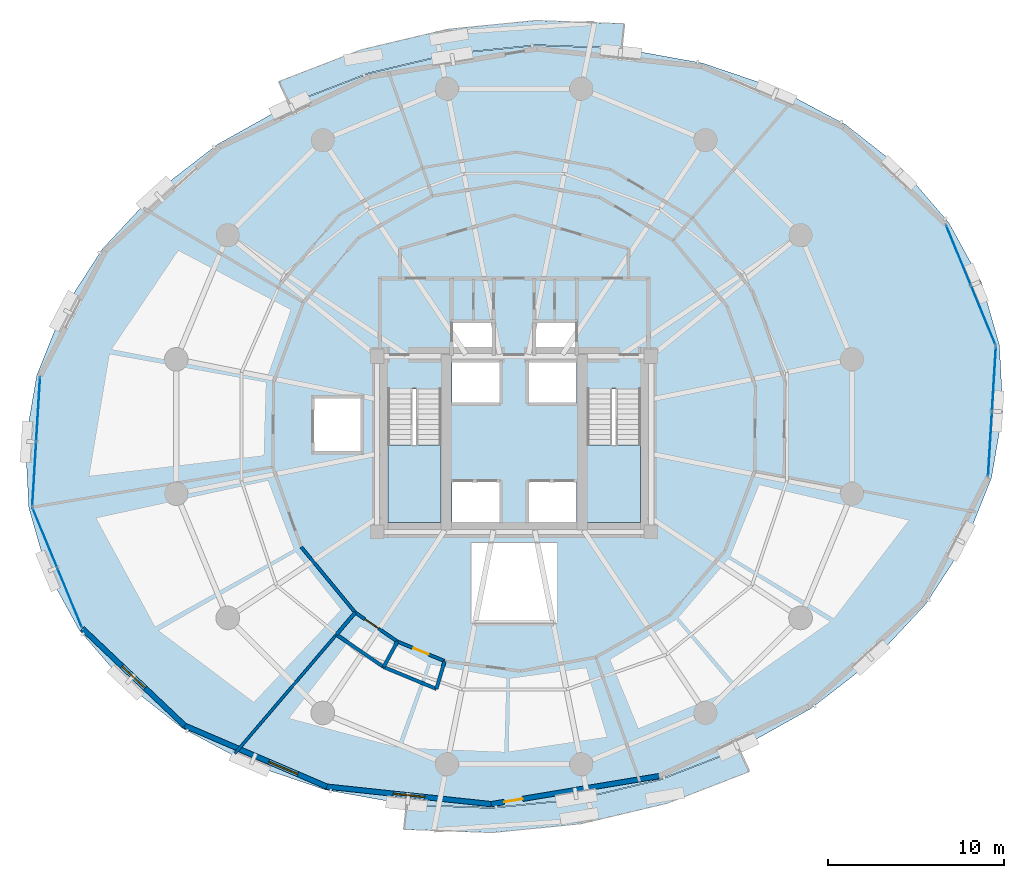
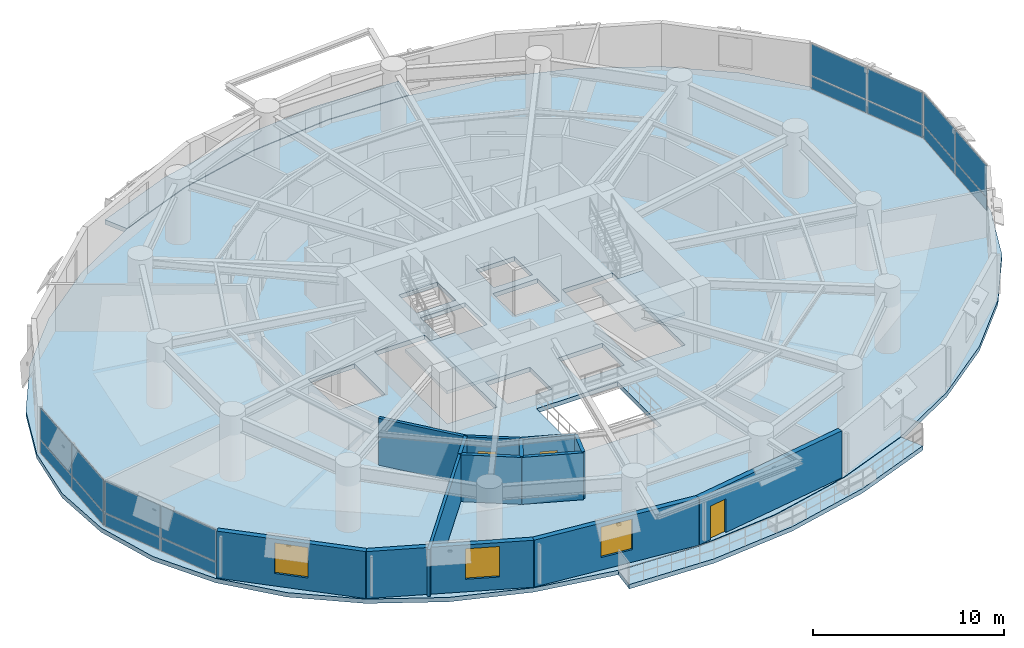
# One storey, part 11 of 17: 16 plates, 13 walls, 5 slabs, 3 doors, 3 windows, 6 openings, 6 elements without a shape of their own.
"""IFC4 building model written with IfcOpenShell, lengths in metres."""

import ifcopenshell
import ifcopenshell.guid

model = None  # the IFC model being written
_history = None  # IfcOwnerHistory: only IFC2X3 demands one
_inside = {}  # id of a spatial element -> (the spatial element, [elements in it])
_under = {}  # id of a project, library or spatial element -> (it, [spatial elements below it])
_declared = {}  # id of a project -> (the project, [libraries it declares])
_typed = {}  # id of a type object -> (the type object, [elements of that type])
_made_of = {}  # id of a material, layer set ... -> (it, [elements and type objects made of it])


def new_model(schema):
    """Start an empty IFC model of exactly this schema.

    Asked for "IFC4X3", IfcOpenShell would pick the latest addendum, in which some entities
    have other attributes; the version numbers below select the first issue.
    IFC2X3 requires an IfcOwnerHistory on every rooted entity: one is made here for all.
    """
    global model, _history
    if schema == "IFC4X3":
        model = ifcopenshell.file(schema_version=(4, 3, 0, 0))
    else:
        model = ifcopenshell.file(schema=schema)
    _inside.clear()
    _under.clear()
    _declared.clear()
    _typed.clear()
    _made_of.clear()
    _history = None
    if model.schema == "IFC2X3":
        org = make("IfcOrganization", Name="unknown")
        user = make(
            "IfcPersonAndOrganization",
            ThePerson=make("IfcPerson", FamilyName="unknown"),
            TheOrganization=org,
        )
        app = make(
            "IfcApplication",
            ApplicationDeveloper=org,
            Version="unknown",
            ApplicationFullName="unknown",
            ApplicationIdentifier="unknown",
        )
        _history = make(
            "IfcOwnerHistory",
            OwningUser=user,
            OwningApplication=app,
            ChangeAction="ADDED",
            CreationDate=0,
        )
    return model


def make(cls, **values):
    """One entity of the class cls with the attributes given. An attribute that is None is left unset."""
    return model.create_entity(
        cls, **{name: value for name, value in values.items() if value is not None}
    )


def rooted(cls, **values):
    """An entity with a GlobalId (a new one), such as an element, a storey or a relation."""
    return make(cls, GlobalId=ifcopenshell.guid.new(), OwnerHistory=_history, **values)


def si_unit(unit_type, name, prefix=None):
    """IfcSIUnit, for example si_unit("LENGTHUNIT", "METRE", prefix="MILLI")."""
    return make("IfcSIUnit", UnitType=unit_type, Prefix=prefix, Name=name)


def assignment(units):
    """IfcUnitAssignment: the units of a project."""
    return None if units is None else make("IfcUnitAssignment", Units=units)


def point(xyz):
    """IfcCartesianPoint."""
    return None if xyz is None else make("IfcCartesianPoint", Coordinates=xyz)


def direction(xyz):
    """IfcDirection."""
    return None if xyz is None else make("IfcDirection", DirectionRatios=xyz)


def frame(location, z_axis=None, x_axis=None):
    """IfcAxis2Placement3D, a coordinate frame: its origin and axes. An axis left out is left unset."""
    return make(
        "IfcAxis2Placement3D",
        Location=point(location),
        Axis=direction(z_axis),
        RefDirection=direction(x_axis),
    )


def frame_2d(location, x_axis=None):
    """IfcAxis2Placement2D, a coordinate frame in the plane: its origin and x axis."""
    return make(
        "IfcAxis2Placement2D", Location=point(location), RefDirection=direction(x_axis)
    )


def origin():
    """The frame at (0, 0, 0) with its axes left unset."""
    return frame((0.0, 0.0, 0.0))


def origin_2d():
    """The frame at (0, 0) in the plane with its x axis left unset."""
    return frame_2d((0.0, 0.0))


def place(relative_to, where):
    """IfcLocalPlacement: puts the frame where relative to a parent placement (None: the world)."""
    return make(
        "IfcLocalPlacement", PlacementRelTo=relative_to, RelativePlacement=where
    )


def context(
    kind, dimensions, precision=None, world=None, true_north=None, identifier=None
):
    """IfcGeometricRepresentationContext, for example the 3D "Model" context."""
    return make(
        "IfcGeometricRepresentationContext",
        ContextIdentifier=identifier,
        ContextType=kind,
        CoordinateSpaceDimension=dimensions,
        Precision=precision,
        WorldCoordinateSystem=world,
        TrueNorth=true_north,
    )


def subcontext(parent, identifier, kind, view, scale=None):
    """IfcGeometricRepresentationSubContext, for example "Body" below "Model"."""
    return make(
        "IfcGeometricRepresentationSubContext",
        ContextIdentifier=identifier,
        ContextType=kind,
        ParentContext=parent,
        TargetScale=scale,
        TargetView=view,
    )


def project(units=None, contexts=None):
    """IfcProject with its units and contexts."""
    return rooted(
        "IfcProject",
        Name="project",
        RepresentationContexts=contexts,
        UnitsInContext=assignment(units),
    )


def spatial(cls, under=None, at=None, **own):
    """A site, building, storey or space (cls), placed at a placement, below another one or the project."""
    s = rooted(cls, ObjectPlacement=at, **own)
    if under is not None:
        _under.setdefault(under.id(), (under, []))[1].append(s)
    return s


def polyline(points):
    """IfcPolyline through the points."""
    return make("IfcPolyline", Points=[point(p) for p in points])


def profile(cls, at=None, kind="AREA", **sizes):
    """A parametric profile (cls). Its sizes go by their IFC names, for example OverallWidth=200.0."""
    return make(cls, ProfileType=kind, Position=at, **sizes)


def rectangle(**sizes):
    """IfcRectangleProfileDef."""
    return profile("IfcRectangleProfileDef", **sizes)


def outline(outer, holes=None, kind="AREA"):
    """IfcArbitraryClosedProfileDef: a profile drawn as a closed curve; with holes, ...WithVoids."""
    if holes is None:
        return make("IfcArbitraryClosedProfileDef", ProfileType=kind, OuterCurve=outer)
    return make(
        "IfcArbitraryProfileDefWithVoids",
        ProfileType=kind,
        OuterCurve=outer,
        InnerCurves=holes,
    )


def extrude(swept, where, along, depth):
    """IfcExtrudedAreaSolid: the profile swept, set in the frame where, extruded along a direction by depth."""
    return make(
        "IfcExtrudedAreaSolid",
        SweptArea=swept,
        Position=where,
        ExtrudedDirection=direction(along),
        Depth=depth,
    )


def shape(context_of_items, identifier, shape_type, items):
    """IfcShapeRepresentation: the items that make up one representation, for example the "Body"."""
    return make(
        "IfcShapeRepresentation",
        ContextOfItems=context_of_items,
        RepresentationIdentifier=identifier,
        RepresentationType=shape_type,
        Items=items,
    )


def material(Name=None, Category=None):
    """IfcMaterial."""
    return make("IfcMaterial", Name=Name, Category=Category)


def layer(
    of_material, thickness, ventilated=None, Name=None, Category=None, Priority=None
):
    """IfcMaterialLayer: one layer of a wall or slab, of a material (None: an air gap)."""
    return make(
        "IfcMaterialLayer",
        Material=of_material,
        LayerThickness=thickness,
        IsVentilated=ventilated,
        Name=Name,
        Category=Category,
        Priority=Priority,
    )


def layer_set(layers, Name=None):
    """IfcMaterialLayerSet."""
    return make("IfcMaterialLayerSet", MaterialLayers=layers, LayerSetName=Name)


def made_of(thing, what):
    """Note that an element or type object is made of a material, layer set ...; save() writes the relation."""
    if what is not None:
        _made_of.setdefault(what.id(), (what, []))[1].append(thing)
    return thing


def type_object(cls, material=None, **own):
    """A type object (cls), such as IfcWallType, which elements share."""
    return made_of(rooted(cls, **own), material)


def element(
    cls,
    number,
    at=None,
    inside=None,
    cuts=None,
    type_object=None,
    material=None,
    context=None,
    identifier="Body",
    shape_type=None,
    held_by="IfcProductDefinitionShape",
    body=None,
    shapes=None,
    **own,
):
    """One element of the class cls, such as IfcWall. Its Tag is "e" and its number.

    at: its placement. inside: the storey or other place that contains it. cuts: it is an
    opening in that element (IfcRelVoidsElement). A single representation is given by context,
    identifier, shape_type and body (its items); several are given by shapes. held_by: the class
    of the entity that holds the representations. save() writes the other relations.
    """
    e = rooted(cls, Tag="e%d" % number, ObjectPlacement=at, **own)
    if body is not None:
        shapes = [shape(context, identifier, shape_type, body)]
    if shapes is not None:
        e.Representation = make(held_by, Representations=shapes)
    if inside is not None:
        _inside.setdefault(inside.id(), (inside, []))[1].append(e)
    if cuts is not None:
        rooted(
            "IfcRelVoidsElement", RelatingBuildingElement=cuts, RelatedOpeningElement=e
        )
    if type_object is not None:
        _typed.setdefault(type_object.id(), (type_object, []))[1].append(e)
    return made_of(e, material)


def fill(opening, filler):
    """IfcRelFillsElement: the door or window that sits in an opening."""
    return rooted(
        "IfcRelFillsElement",
        RelatingOpeningElement=opening,
        RelatedBuildingElement=filler,
    )


def aggregate(whole, parts):
    """IfcRelAggregates: a whole, such as a stair, and the parts it consists of."""
    return rooted("IfcRelAggregates", RelatingObject=whole, RelatedObjects=parts)


def save(model, path):
    """Write the relations noted so far, then the file.

    IfcRelAggregates (storeys below a building ...), IfcRelContainedInSpatialStructure (elements
    in a storey), IfcRelDefinesByType, IfcRelAssociatesMaterial and IfcRelDeclares: one each for
    every whole, place, type object, material and project.
    """
    for whole, parts in _under.values():
        aggregate(whole, parts)
    for where, things in _inside.values():
        rooted(
            "IfcRelContainedInSpatialStructure",
            RelatedElements=things,
            RelatingStructure=where,
        )
    for kind, things in _typed.values():
        rooted("IfcRelDefinesByType", RelatedObjects=things, RelatingType=kind)
    for what, things in _made_of.values():
        rooted("IfcRelAssociatesMaterial", RelatedObjects=things, RelatingMaterial=what)
    for by, libraries in _declared.values():
        rooted("IfcRelDeclares", RelatingContext=by, RelatedDefinitions=libraries)
    model.write(path)


model = new_model("IFC4")

# Units and contexts
model_context = context("Model", 3, precision=1e-05, world=origin(), true_north=direction((0.0, 1.0)))
body_context = subcontext(model_context, "Body", "Model", "MODEL_VIEW")
ifc_project = project(units=[si_unit("LENGTHUNIT", "METRE"), si_unit("AREAUNIT", "SQUARE_METRE"), si_unit("VOLUMEUNIT", "CUBIC_METRE"), si_unit("PLANEANGLEUNIT", "RADIAN"), si_unit("MASSUNIT", "GRAM", prefix="KILO"), si_unit("THERMODYNAMICTEMPERATUREUNIT", "KELVIN"), si_unit("POWERUNIT", "WATT")], contexts=[model_context])

# Site, building, storey
site_placement = place(None, origin())
site = spatial("IfcSite", under=ifc_project, at=site_placement, CompositionType="ELEMENT")
building_placement = place(site_placement, origin())
building = spatial("IfcBuilding", under=site, at=building_placement, Name="Ocrelia Relay Tower", CompositionType="ELEMENT")
storey_placement = place(building_placement, frame((0.0, 0.0, 72.0)))
storey = spatial("IfcBuildingStorey", under=building, at=storey_placement, Name="L16", CompositionType="ELEMENT", Elevation=72.0)

# Curtain wall, plates
ifc_material_1 = material(Name="Aluminium and solar-control low-E glass", Category="aluminium")
ifc_layer_1 = layer(ifc_material_1, 0.179931640625, Name="Aluminium and solar-control low-E glass")
ifc_layer_set_1 = layer_set([ifc_layer_1], Name="Aluminium and solar-control low-E glass")
curtain_wall_type = type_object("IfcCurtainWallType", Name="CW-SYS-Z1-DATA", PredefinedType="NOTDEFINED", material=ifc_layer_set_1)
curtain_wall_1_placement = place(storey_placement, origin())
curtain_wall_1 = element("IfcCurtainWall", 1, at=curtain_wall_1_placement, inside=storey, type_object=curtain_wall_type, Name="L16 Elliptical Tower Curtain Wall Bay 01", PredefinedType="NOTDEFINED")
ifc_material_2 = material(Name="Clear double-glazed low-E glass", Category="glass")
ifc_layer_2 = layer(ifc_material_2, 0.031982421875, Name="Clear double-glazed low-E glass")
ifc_layer_set_2 = layer_set([ifc_layer_2], Name="Clear double-glazed low-E glass")
plate_type = type_object("IfcPlateType", Name="CW-SYS-Z1-DATA-PNL", PredefinedType="CURTAIN_PANEL", material=ifc_layer_set_2)
plate_1_placement = place(storey_placement, frame((60.697998046875, 32.33154296875, 0.06494140625), z_axis=(0.0, 0.0, 1.0), x_axis=(-0.382037876302, 0.924146666429, 0.0)))
plate_1 = element("IfcPlate", 2, at=plate_1_placement, type_object=plate_type, Name="CW-Z1 panel 1.1", PredefinedType="CURTAIN_PANEL", context=body_context, shape_type="SweptSolid", body=[
    extrude(rectangle(XDim=3.6328125, YDim=0.031982421875, at=origin_2d()), origin(), (0.0, 0.0, 1.0), 0.802490234375),
])
plate_2_placement = place(storey_placement, frame((60.697998046875, 32.33154296875, 0.9326171875), z_axis=(0.0, 0.0, 1.0), x_axis=(-0.382037876302, 0.924146666429, 0.0)))
plate_2 = element("IfcPlate", 3, at=plate_2_placement, type_object=plate_type, Name="CW-Z1 panel 1.2", PredefinedType="CURTAIN_PANEL", context=body_context, shape_type="SweptSolid", body=[
    extrude(rectangle(XDim=3.6328125, YDim=0.031982421875, at=origin_2d()), origin(), (0.0, 0.0, 1.0), 2.00244140625),
])
plate_3_placement = place(storey_placement, frame((59.283447265625, 35.75341796875, 0.06494140625), z_axis=(0.0, 0.0, 1.0), x_axis=(-0.382037876302, 0.924146666429, 0.0)))
plate_3 = element("IfcPlate", 4, at=plate_3_placement, type_object=plate_type, Name="CW-Z1 panel 2.1", PredefinedType="CURTAIN_PANEL", context=body_context, shape_type="SweptSolid", body=[
    extrude(rectangle(XDim=3.6328125, YDim=0.031982421875, at=origin_2d()), origin(), (0.0, 0.0, 1.0), 0.802490234375),
])
plate_4_placement = place(storey_placement, frame((59.283447265625, 35.75341796875, 0.9326171875), z_axis=(0.0, 0.0, 1.0), x_axis=(-0.382037876302, 0.924146666429, 0.0)))
plate_4 = element("IfcPlate", 5, at=plate_4_placement, type_object=plate_type, Name="CW-Z1 panel 2.2", PredefinedType="CURTAIN_PANEL", context=body_context, shape_type="SweptSolid", body=[
    extrude(rectangle(XDim=3.6328125, YDim=0.031982421875, at=origin_2d()), origin(), (0.0, 0.0, 1.0), 2.00244140625),
])
aggregate(curtain_wall_1, [plate_1, plate_2, plate_3, plate_4])

curtain_wall_2_placement = place(storey_placement, origin())
curtain_wall_2 = element("IfcCurtainWall", 6, at=curtain_wall_2_placement, inside=storey, type_object=curtain_wall_type, Name="L16 Elliptical Tower Curtain Wall Bay 09", PredefinedType="NOTDEFINED")
plate_5_placement = place(storey_placement, frame((6.91845703125, 26.990478515625, 0.06494140625), z_axis=(0.0, 0.0, 1.0), x_axis=(-0.060344410517, -0.998177615517, 0.0)))
plate_5 = element("IfcPlate", 7, at=plate_5_placement, type_object=plate_type, Name="CW-Z1 panel 1.1", PredefinedType="CURTAIN_PANEL", context=body_context, shape_type="SweptSolid", body=[
    extrude(rectangle(XDim=3.6328125, YDim=0.031982421875, at=origin_2d()), origin(), (0.0, 0.0, 1.0), 0.802490234375),
])
plate_6_placement = place(storey_placement, frame((6.91845703125, 26.990478515625, 0.9326171875), z_axis=(0.0, 0.0, 1.0), x_axis=(-0.060344410517, -0.998177615517, 0.0)))
plate_6 = element("IfcPlate", 8, at=plate_6_placement, type_object=plate_type, Name="CW-Z1 panel 1.2", PredefinedType="CURTAIN_PANEL", context=body_context, shape_type="SweptSolid", body=[
    extrude(rectangle(XDim=3.6328125, YDim=0.031982421875, at=origin_2d()), origin(), (0.0, 0.0, 1.0), 2.00244140625),
])
plate_7_placement = place(storey_placement, frame((6.695068359375, 23.294677734375, 0.06494140625), z_axis=(0.0, 0.0, 1.0), x_axis=(-0.060344410517, -0.998177615517, 0.0)))
plate_7 = element("IfcPlate", 9, at=plate_7_placement, type_object=plate_type, Name="CW-Z1 panel 2.1", PredefinedType="CURTAIN_PANEL", context=body_context, shape_type="SweptSolid", body=[
    extrude(rectangle(XDim=3.6328125, YDim=0.031982421875, at=origin_2d()), origin(), (0.0, 0.0, 1.0), 0.802490234375),
])
plate_8_placement = place(storey_placement, frame((6.695068359375, 23.294677734375, 0.9326171875), z_axis=(0.0, 0.0, 1.0), x_axis=(-0.060344410517, -0.998177615517, 0.0)))
plate_8 = element("IfcPlate", 10, at=plate_8_placement, type_object=plate_type, Name="CW-Z1 panel 2.2", PredefinedType="CURTAIN_PANEL", context=body_context, shape_type="SweptSolid", body=[
    extrude(rectangle(XDim=3.6328125, YDim=0.031982421875, at=origin_2d()), origin(), (0.0, 0.0, 1.0), 2.00244140625),
])
aggregate(curtain_wall_2, [plate_5, plate_6, plate_7, plate_8])

curtain_wall_3_placement = place(storey_placement, origin())
curtain_wall_3 = element("IfcCurtainWall", 11, at=curtain_wall_3_placement, inside=storey, type_object=curtain_wall_type, Name="L16 Elliptical Tower Curtain Wall Bay 10", PredefinedType="NOTDEFINED")
plate_9_placement = place(storey_placement, frame((7.302001953125, 19.66845703125, 0.06494140625), z_axis=(0.0, 0.0, 1.0), x_axis=(0.382037876302, -0.924146666429, 0.0)))
plate_9 = element("IfcPlate", 12, at=plate_9_placement, type_object=plate_type, Name="CW-Z1 panel 1.1", PredefinedType="CURTAIN_PANEL", context=body_context, shape_type="SweptSolid", body=[
    extrude(rectangle(XDim=3.6328125, YDim=0.031982421875, at=origin_2d()), origin(), (0.0, 0.0, 1.0), 0.802490234375),
])
plate_10_placement = place(storey_placement, frame((7.302001953125, 19.66845703125, 0.9326171875), z_axis=(0.0, 0.0, 1.0), x_axis=(0.382037876302, -0.924146666429, 0.0)))
plate_10 = element("IfcPlate", 13, at=plate_10_placement, type_object=plate_type, Name="CW-Z1 panel 1.2", PredefinedType="CURTAIN_PANEL", context=body_context, shape_type="SweptSolid", body=[
    extrude(rectangle(XDim=3.6328125, YDim=0.031982421875, at=origin_2d()), origin(), (0.0, 0.0, 1.0), 2.00244140625),
])
plate_11_placement = place(storey_placement, frame((8.716552734375, 16.24658203125, 0.06494140625), z_axis=(0.0, 0.0, 1.0), x_axis=(0.382037876302, -0.924146666429, 0.0)))
plate_11 = element("IfcPlate", 14, at=plate_11_placement, type_object=plate_type, Name="CW-Z1 panel 2.1", PredefinedType="CURTAIN_PANEL", context=body_context, shape_type="SweptSolid", body=[
    extrude(rectangle(XDim=3.6328125, YDim=0.031982421875, at=origin_2d()), origin(), (0.0, 0.0, 1.0), 0.802490234375),
])
plate_12_placement = place(storey_placement, frame((8.716552734375, 16.24658203125, 0.9326171875), z_axis=(0.0, 0.0, 1.0), x_axis=(0.382037876302, -0.924146666429, 0.0)))
plate_12 = element("IfcPlate", 15, at=plate_12_placement, type_object=plate_type, Name="CW-Z1 panel 2.2", PredefinedType="CURTAIN_PANEL", context=body_context, shape_type="SweptSolid", body=[
    extrude(rectangle(XDim=3.6328125, YDim=0.031982421875, at=origin_2d()), origin(), (0.0, 0.0, 1.0), 2.00244140625),
])
aggregate(curtain_wall_3, [plate_9, plate_10, plate_11, plate_12])

curtain_wall_4_placement = place(storey_placement, origin())
curtain_wall_4 = element("IfcCurtainWall", 16, at=curtain_wall_4_placement, inside=storey, type_object=curtain_wall_type, Name="L16 Elliptical Tower Curtain Wall Bay 18", PredefinedType="NOTDEFINED")
plate_13_placement = place(storey_placement, frame((61.08154296875, 25.009521484375, 0.06494140625), z_axis=(0.0, 0.0, 1.0), x_axis=(0.060344410517, 0.998177615517, 0.0)))
plate_13 = element("IfcPlate", 17, at=plate_13_placement, type_object=plate_type, Name="CW-Z1 panel 1.1", PredefinedType="CURTAIN_PANEL", context=body_context, shape_type="SweptSolid", body=[
    extrude(rectangle(XDim=3.6328125, YDim=0.031982421875, at=origin_2d()), origin(), (0.0, 0.0, 1.0), 0.802490234375),
])
plate_14_placement = place(storey_placement, frame((61.08154296875, 25.009521484375, 0.9326171875), z_axis=(0.0, 0.0, 1.0), x_axis=(0.060344410517, 0.998177615517, 0.0)))
plate_14 = element("IfcPlate", 18, at=plate_14_placement, type_object=plate_type, Name="CW-Z1 panel 1.2", PredefinedType="CURTAIN_PANEL", context=body_context, shape_type="SweptSolid", body=[
    extrude(rectangle(XDim=3.6328125, YDim=0.031982421875, at=origin_2d()), origin(), (0.0, 0.0, 1.0), 2.00244140625),
])
plate_15_placement = place(storey_placement, frame((61.304931640625, 28.705322265625, 0.06494140625), z_axis=(0.0, 0.0, 1.0), x_axis=(0.060344410517, 0.998177615517, 0.0)))
plate_15 = element("IfcPlate", 19, at=plate_15_placement, type_object=plate_type, Name="CW-Z1 panel 2.1", PredefinedType="CURTAIN_PANEL", context=body_context, shape_type="SweptSolid", body=[
    extrude(rectangle(XDim=3.6328125, YDim=0.031982421875, at=origin_2d()), origin(), (0.0, 0.0, 1.0), 0.802490234375),
])
plate_16_placement = place(storey_placement, frame((61.304931640625, 28.705322265625, 0.9326171875), z_axis=(0.0, 0.0, 1.0), x_axis=(0.060344410517, 0.998177615517, 0.0)))
plate_16 = element("IfcPlate", 20, at=plate_16_placement, type_object=plate_type, Name="CW-Z1 panel 2.2", PredefinedType="CURTAIN_PANEL", context=body_context, shape_type="SweptSolid", body=[
    extrude(rectangle(XDim=3.6328125, YDim=0.031982421875, at=origin_2d()), origin(), (0.0, 0.0, 1.0), 2.00244140625),
])
aggregate(curtain_wall_4, [plate_13, plate_14, plate_15, plate_16])

# Slabs
ifc_material_3 = material(Name="Precast concrete C40/50", Category="concrete")
ifc_layer_3 = layer(ifc_material_3, 0.280029296875, Name="Precast concrete C40/50")
ifc_layer_set_3 = layer_set([ifc_layer_3], Name="Precast concrete C40/50")
slab_type_1 = type_object("IfcSlabType", Name="SL-BALC-280", PredefinedType="FLOOR", material=ifc_layer_set_3)
slab_1_placement = place(storey_placement, frame((0.0, 0.0, -0.280029296875)))
element("IfcSlab", 21, at=slab_1_placement, inside=storey, type_object=slab_type_1, Name="L16 Planted Loggia Balcony B1", PredefinedType="FLOOR", context=body_context, shape_type="SweptSolid", body=[
    extrude(outline(polyline([(40.114013671875, 47.536865234375), (37.706787109375, 47.626220703125), (35.300048828125, 47.715576171875), (30.446533203125, 47.23486328125), (25.700927734375, 46.109130859375), (23.454345703125, 45.2412109375), (21.20751953125, 44.372802734375), (20.614990234375, 45.634033203125), (22.95166015625, 46.537109375), (25.2880859375, 47.43994140625), (30.216552734375, 48.60888671875), (35.257080078125, 49.108154296875), (37.76025390625, 49.01513671875), (40.263427734375, 48.922119140625), (40.114013671875, 47.536865234375)])), origin(), (0.0, 0.0, 1.0), 0.280029296875),
])
slab_2_placement = place(storey_placement, frame((0.0, 0.0, -0.280029296875)))
element("IfcSlab", 22, at=slab_2_placement, inside=storey, type_object=slab_type_1, Name="L16 Planted Loggia Balcony B2", PredefinedType="FLOOR", context=body_context, shape_type="SweptSolid", body=[
    extrude(outline(polyline([(27.885986328125, 4.463134765625), (30.293212890625, 4.373779296875), (32.699951171875, 4.284423828125), (37.553466796875, 4.76513671875), (42.299072265625, 5.890869140625), (44.545654296875, 6.759033203125), (46.79248046875, 7.627197265625), (47.385009765625, 6.365966796875), (45.04833984375, 5.462890625), (42.7119140625, 4.56005859375), (37.783447265625, 3.39111328125), (32.742919921875, 2.891845703125), (30.23974609375, 2.98486328125), (27.736572265625, 3.077880859375), (27.885986328125, 4.463134765625)])), origin(), (0.0, 0.0, 1.0), 0.280029296875),
])
ifc_material_4 = material(Name="Concrete C50/60", Category="concrete")
ifc_layer_4 = layer(ifc_material_4, 0.280029296875, Name="Concrete C50/60")
ifc_layer_set_4 = layer_set([ifc_layer_4], Name="Concrete C50/60")
slab_type_2 = type_object("IfcSlabType", Name="SL-FLR-280", PredefinedType="FLOOR", material=ifc_layer_set_4)
slab_3_placement = place(storey_placement, frame((0.0, 0.0, -0.280029296875)))
element("IfcSlab", 23, at=slab_3_placement, inside=storey, type_object=slab_type_2, Name="L16 Elliptical Tower Floor Slab", PredefinedType="FLOOR", context=body_context, shape_type="SweptSolid", body=[
    extrude(outline(polyline([(61.615966796875, 30.621337890625), (60.580322265625, 34.2333984375), (58.73681640625, 37.59521484375), (56.141845703125, 40.604736328125), (52.8740234375, 43.17041015625), (49.032958984375, 45.214599609375), (44.73486328125, 46.6748046875), (40.110595703125, 47.5068359375), (35.30078125, 47.685546875), (30.451416015625, 47.205078125), (25.7099609375, 46.08056640625), (21.22021484375, 44.345703125), (17.118896484375, 42.053466796875), (13.530517578125, 39.2734375), (10.56396484375, 36.09033203125), (8.3095703125, 32.600341796875), (6.835693359375, 28.909912109375), (6.1875, 25.131103515625), (6.384033203125, 21.378662109375), (7.419677734375, 17.7666015625), (9.26318359375, 14.40478515625), (11.858154296875, 11.395263671875), (15.1259765625, 8.82958984375), (18.967041015625, 6.785400390625), (23.26513671875, 5.3251953125), (27.889404296875, 4.4931640625), (32.69921875, 4.314453125), (37.548583984375, 4.794921875), (42.2900390625, 5.91943359375), (46.77978515625, 7.654296875), (50.881103515625, 9.946533203125), (54.469482421875, 12.7265625), (57.43603515625, 15.90966796875), (59.6904296875, 19.399658203125), (61.164306640625, 23.090087890625), (61.8125, 26.868896484375), (61.615966796875, 30.621337890625)]), holes=[polyline([(26.81005859375, 28.14990234375), (26.81005859375, 20.550048828125), (29.85009765625, 20.550048828125), (29.85009765625, 28.14990234375), (26.81005859375, 28.14990234375)]), polyline([(38.159912109375, 28.14990234375), (38.159912109375, 20.550048828125), (41.199951171875, 20.550048828125), (41.199951171875, 28.14990234375), (38.159912109375, 28.14990234375)]), polyline([(30.4599609375, 20.550048828125), (33.159912109375, 20.550048828125), (33.159912109375, 22.85009765625), (30.4599609375, 22.85009765625), (30.4599609375, 20.550048828125)]), polyline([(34.840087890625, 20.550048828125), (37.5400390625, 20.550048828125), (37.5400390625, 22.85009765625), (34.840087890625, 22.85009765625), (34.840087890625, 20.550048828125)]), polyline([(30.4599609375, 27.35009765625), (33.159912109375, 27.35009765625), (33.159912109375, 29.64990234375), (30.4599609375, 29.64990234375), (30.4599609375, 27.35009765625)]), polyline([(34.840087890625, 27.35009765625), (37.5400390625, 27.35009765625), (37.5400390625, 29.64990234375), (34.840087890625, 29.64990234375), (34.840087890625, 27.35009765625)]), polyline([(30.5, 30.10009765625), (32.85009765625, 30.10009765625), (32.85009765625, 32.0), (30.5, 32.0), (30.5, 30.10009765625)]), polyline([(35.14990234375, 30.10009765625), (37.5, 30.10009765625), (37.5, 32.0), (35.14990234375, 32.0), (35.14990234375, 30.10009765625)]), polyline([(22.550048828125, 24.5), (25.35009765625, 24.5), (25.35009765625, 27.699951171875), (22.550048828125, 27.699951171875), (22.550048828125, 24.5)]), polyline([(31.550048828125, 14.800048828125), (36.449951171875, 14.800048828125), (36.449951171875, 19.39990234375), (31.550048828125, 19.39990234375), (31.550048828125, 14.800048828125)])]), origin(), (0.0, 0.0, 1.0), 0.280029296875),
])

# Stair, slab
stair_type = type_object("IfcStairType", Name="ST-DL-1420-R175", PredefinedType="HALF_TURN_STAIR", material=ifc_material_4)
stair_1_placement = place(storey_placement, origin())
stair_1 = element("IfcStair", 24, at=stair_1_placement, inside=storey, type_object=stair_type, Name="L16 West Core Exit Stair ST1", PredefinedType="HALF_TURN_STAIR")
ifc_layer_5 = layer(ifc_material_4, 0.199951171875, Name="Concrete C50/60")
ifc_layer_set_5 = layer_set([ifc_layer_5], Name="Concrete C50/60")
slab_type_3 = type_object("IfcSlabType", Name="SL-LANDING-200", PredefinedType="LANDING", material=ifc_layer_set_5)
slab_4_placement = place(storey_placement, frame((0.0, 0.0, 1.89990234375)))
slab_4 = element("IfcSlab", 25, at=slab_4_placement, type_object=slab_type_3, Name="ST1 landing 1", PredefinedType="LANDING", context=body_context, shape_type="SweptSolid", body=[
    extrude(outline(polyline([(26.81005859375, 24.9599609375), (26.81005859375, 20.550048828125), (29.85009765625, 20.550048828125), (29.85009765625, 24.9599609375), (26.81005859375, 24.9599609375)])), origin(), (0.0, 0.0, 1.0), 0.2001953125),
])
aggregate(stair_1, [slab_4])

stair_2_placement = place(storey_placement, origin())
stair_2 = element("IfcStair", 26, at=stair_2_placement, inside=storey, type_object=stair_type, Name="L16 East Core Exit Stair ST2", PredefinedType="HALF_TURN_STAIR")
slab_5_placement = place(storey_placement, frame((0.0, 0.0, 1.89990234375)))
slab_5 = element("IfcSlab", 27, at=slab_5_placement, type_object=slab_type_3, Name="ST2 landing 1", PredefinedType="LANDING", context=body_context, shape_type="SweptSolid", body=[
    extrude(outline(polyline([(38.159912109375, 24.9599609375), (38.159912109375, 20.550048828125), (41.199951171875, 20.550048828125), (41.199951171875, 24.9599609375), (38.159912109375, 24.9599609375)])), origin(), (0.0, 0.0, 1.0), 0.2001953125),
])
aggregate(stair_2, [slab_5])

# Wall, opening, door
ifc_material_5 = material(Name="Gypsum Fireboard Partition EI60", Category="gypsum")
ifc_layer_6 = layer(ifc_material_5, 0.179931640625, Name="Gypsum Fireboard Partition EI60")
ifc_layer_set_6 = layer_set([ifc_layer_6], Name="Gypsum Fireboard Partition EI60")
wall_type_1 = type_object("IfcWallType", Name="W-CORR-EI60-180", PredefinedType="PARTITIONING", material=ifc_layer_set_6)
wall_1_placement = place(storey_placement, frame((24.959716796875, 15.4150390625, 0.0), z_axis=(0.0, 0.0, 1.0), x_axis=(0.824132488169, -0.566397070918, 0.0)))
wall_1 = element("IfcWall", 28, at=wall_1_placement, inside=storey, type_object=wall_type_1, Name="L16 Staff Toilet Corridor Wall", PredefinedType="PARTITIONING", context=body_context, shape_type="SweptSolid", body=[
    extrude(rectangle(XDim=2.909912109375, YDim=0.179931640625, at=frame_2d((1.455078125, 0.0))), origin(), (0.0, 0.0, 1.0), 3.0),
])
opening_1_placement = place(wall_1_placement, frame((0.6689453125, 0.0, 0.0)))
opening_1 = element("IfcOpeningElement", 29, at=opening_1_placement, cuts=wall_1, Name="Opening D-WC92", PredefinedType="OPENING", context=body_context, shape_type="SweptSolid", body=[
    extrude(rectangle(XDim=0.919921875, YDim=2.10009765625, at=frame_2d((0.4599609375, 1.050048828125))), frame((0.0, 0.10009765625, 0.0), z_axis=(0.0, -1.0, 0.0), x_axis=(1.0, 0.0, 0.0)), (0.0, 0.0, 1.0), 0.199951171875),
])
ifc_material_6 = material(Name="Laminate washroom door", Category="wood")
door_type_1 = type_object("IfcDoorType", Name="DR-WC-920", OperationType="NOTDEFINED", PredefinedType="DOOR", material=ifc_material_6)
door_1_placement = place(opening_1_placement, origin())
door_1 = element("IfcDoor", 30, at=door_1_placement, inside=storey, type_object=door_type_1, Name="L16 Staff Toilet Door", OperationType="SINGLE_SWING_RIGHT", OverallHeight=2.10009765625, OverallWidth=0.919921875, PredefinedType="DOOR", context=body_context, shape_type="SweptSolid", body=[
    extrude(rectangle(XDim=0.919921875, YDim=2.10009765625, at=frame_2d((0.4599609375, 1.050048828125))), frame((0.0, 0.02490234375, 0.0), z_axis=(0.0, -1.0, 0.0), x_axis=(1.0, 0.0, 0.0)), (0.0, 0.0, 1.0), 0.050048828125),
])
fill(opening_1, door_1)

wall_2_placement = place(storey_placement, frame((27.35791015625, 13.766845703125, 0.0), z_axis=(0.0, 0.0, 1.0), x_axis=(0.923889016797, -0.382660534472, 0.0)))
wall_2 = element("IfcWall", 31, at=wall_2_placement, inside=storey, type_object=wall_type_1, Name="L16 Accessible Toilet Corridor Wall", PredefinedType="PARTITIONING", context=body_context, shape_type="SweptSolid", body=[
    extrude(rectangle(XDim=2.909912109375, YDim=0.179931640625, at=frame_2d((1.455078125, 0.0))), origin(), (0.0, 0.0, 1.0), 3.0),
])
opening_2_placement = place(wall_2_placement, frame((0.9951171875, 0.0, 0.0)))
opening_2 = element("IfcOpeningElement", 32, at=opening_2_placement, cuts=wall_2, Name="Opening D-WC92", PredefinedType="OPENING", context=body_context, shape_type="SweptSolid", body=[
    extrude(rectangle(XDim=0.919921875, YDim=2.10009765625, at=frame_2d((0.4599609375, 1.050048828125))), frame((0.0, 0.10009765625, 0.0), z_axis=(0.0, -1.0, 0.0), x_axis=(1.0, 0.0, 0.0)), (0.0, 0.0, 1.0), 0.199951171875),
])
door_2_placement = place(opening_2_placement, origin())
door_2 = element("IfcDoor", 33, at=door_2_placement, inside=storey, type_object=door_type_1, Name="L16 Accessible Toilet Door", OperationType="SINGLE_SWING_LEFT", OverallHeight=2.10009765625, OverallWidth=0.919921875, PredefinedType="DOOR", context=body_context, shape_type="SweptSolid", body=[
    extrude(rectangle(XDim=0.919921875, YDim=2.10009765625, at=frame_2d((0.4599609375, 1.050048828125))), frame((0.0, 0.02490234375, 0.0), z_axis=(0.0, -1.0, 0.0), x_axis=(1.0, 0.0, 0.0)), (0.0, 0.0, 1.0), 0.050048828125),
])
fill(opening_2, door_2)

# Wall
wall_3_placement = place(storey_placement, frame((21.884521484375, 19.1455078125, 0.0), z_axis=(0.0, 0.0, 1.0), x_axis=(0.636082430418, -0.771621112797, 0.0)))
element("IfcWall", 34, at=wall_3_placement, inside=storey, type_object=wall_type_1, Name="L16 Network Monitoring Studio Corridor Partition 2", PredefinedType="PARTITIONING", context=body_context, shape_type="SweptSolid", body=[
    extrude(rectangle(XDim=4.83447265625, YDim=0.179931640625, at=frame_2d((2.417236328125, 0.0))), origin(), (0.0, 0.0, 1.0), 3.0),
])

# Wall, opening, window
ifc_material_7 = material(Name="Precast concrete C40/50 with oxide terracotta", Category="masonry")
ifc_layer_7 = layer(ifc_material_7, 0.300048828125, Name="Precast concrete C40/50 with oxide terracotta")
ifc_layer_set_7 = layer_set([ifc_layer_7], Name="Precast concrete C40/50 with oxide terracotta")
wall_type_2 = type_object("IfcWallType", Name="W-EXT-TERR-300", PredefinedType="SOLIDWALL", material=ifc_layer_set_7)
wall_4_placement = place(storey_placement, frame((9.437255859375, 14.50341796875, 0.0), z_axis=(0.0, 0.0, 1.0), x_axis=(0.725354197524, -0.688375833491, 0.0)))
wall_4 = element("IfcWall", 35, at=wall_4_placement, inside=storey, type_object=wall_type_2, Name="L16 Oxide Terracotta Facade Wall 11", PredefinedType="SOLIDWALL", context=body_context, shape_type="SweptSolid", body=[
    extrude(rectangle(XDim=8.021728515625, YDim=0.300048828125, at=frame_2d((4.0107421875, 0.0))), origin(), (0.0, 0.0, 1.0), 3.0),
])
opening_3_placement = place(wall_4_placement, frame((3.111083984375, 0.0, 0.800048828125)))
opening_3 = element("IfcOpeningElement", 36, at=opening_3_placement, cuts=wall_4, Name="Opening W-02", PredefinedType="OPENING", context=body_context, shape_type="SweptSolid", body=[
    extrude(rectangle(XDim=1.800048828125, YDim=1.949951171875, at=frame_2d((0.89990234375, 0.97509765625))), frame((0.0, 0.16015625, 0.0), z_axis=(0.0, -1.0, 0.0), x_axis=(1.0, 0.0, 0.0)), (0.0, 0.0, 1.0), 0.320068359375),
])
window_type = type_object("IfcWindowType", Name="WIN-Z1-1800x2100", PartitioningType="DOUBLE_PANEL_VERTICAL", PredefinedType="WINDOW", material=ifc_material_2)
window_1_placement = place(opening_3_placement, origin())
window_1 = element("IfcWindow", 37, at=window_1_placement, inside=storey, type_object=window_type, Name="L16 Facade Module Window 11", OverallHeight=1.949951171875, OverallWidth=1.800048828125, PartitioningType="SINGLE_PANEL", PredefinedType="WINDOW", context=body_context, shape_type="SweptSolid", body=[
    extrude(rectangle(XDim=1.800048828125, YDim=1.949951171875, at=frame_2d((0.89990234375, 0.97509765625))), frame((0.0, 0.030029296875, 0.0), z_axis=(0.0, -1.0, 0.0), x_axis=(1.0, 0.0, 0.0)), (0.0, 0.0, 1.0), 0.06005859375),
])
fill(opening_3, window_1)

wall_5_placement = place(storey_placement, frame((15.255859375, 8.9814453125, 0.0), z_axis=(0.0, 0.0, 1.0), x_axis=(0.918880561622, -0.394535820267, 0.0)))
wall_5 = element("IfcWall", 38, at=wall_5_placement, inside=storey, type_object=wall_type_2, Name="L16 Oxide Terracotta Facade Wall 12", PredefinedType="SOLIDWALL", context=body_context, shape_type="SweptSolid", body=[
    extrude(rectangle(XDim=8.79248046875, YDim=0.300048828125, at=frame_2d((4.396240234375, 0.0))), origin(), (0.0, 0.0, 1.0), 3.0),
])
opening_4_placement = place(wall_5_placement, frame((5.201904296875, 0.0, 0.800048828125)))
opening_4 = element("IfcOpeningElement", 39, at=opening_4_placement, cuts=wall_5, Name="Opening W-02", PredefinedType="OPENING", context=body_context, shape_type="SweptSolid", body=[
    extrude(rectangle(XDim=1.800048828125, YDim=1.949951171875, at=frame_2d((0.89990234375, 0.97509765625))), frame((0.0, 0.16015625, 0.0), z_axis=(0.0, -1.0, 0.0), x_axis=(1.0, 0.0, 0.0)), (0.0, 0.0, 1.0), 0.320068359375),
])
window_2_placement = place(opening_4_placement, origin())
window_2 = element("IfcWindow", 40, at=window_2_placement, inside=storey, type_object=window_type, Name="L16 Facade Module Window 12", OverallHeight=1.949951171875, OverallWidth=1.800048828125, PartitioningType="SINGLE_PANEL", PredefinedType="WINDOW", context=body_context, shape_type="SweptSolid", body=[
    extrude(rectangle(XDim=1.800048828125, YDim=1.949951171875, at=frame_2d((0.89990234375, 0.97509765625))), frame((0.0, 0.030029296875, 0.0), z_axis=(0.0, -1.0, 0.0), x_axis=(1.0, 0.0, 0.0)), (0.0, 0.0, 1.0), 0.06005859375),
])
fill(opening_4, window_2)

wall_6_placement = place(storey_placement, frame((23.335205078125, 5.512451171875, 0.0), z_axis=(0.0, 0.0, 1.0), x_axis=(0.994369984689, -0.105963831328, 0.0)))
wall_6 = element("IfcWall", 41, at=wall_6_placement, inside=storey, type_object=wall_type_2, Name="L16 Oxide Terracotta Facade Wall 13", PredefinedType="SOLIDWALL", context=body_context, shape_type="SweptSolid", body=[
    extrude(rectangle(XDim=9.418701171875, YDim=0.300048828125, at=frame_2d((4.70947265625, 0.0))), origin(), (0.0, 0.0, 1.0), 3.0),
])
opening_5_placement = place(wall_6_placement, frame((3.80908203125, 0.0, 0.800048828125)))
opening_5 = element("IfcOpeningElement", 42, at=opening_5_placement, cuts=wall_6, Name="Opening W-02", PredefinedType="OPENING", context=body_context, shape_type="SweptSolid", body=[
    extrude(rectangle(XDim=1.800048828125, YDim=1.949951171875, at=frame_2d((0.89990234375, 0.97509765625))), frame((0.0, 0.16015625, 0.0), z_axis=(0.0, -1.0, 0.0), x_axis=(1.0, 0.0, 0.0)), (0.0, 0.0, 1.0), 0.320068359375),
])
window_3_placement = place(opening_5_placement, origin())
window_3 = element("IfcWindow", 43, at=window_3_placement, inside=storey, type_object=window_type, Name="L16 Facade Module Window 13", OverallHeight=1.949951171875, OverallWidth=1.800048828125, PartitioningType="SINGLE_PANEL", PredefinedType="WINDOW", context=body_context, shape_type="SweptSolid", body=[
    extrude(rectangle(XDim=1.800048828125, YDim=1.949951171875, at=frame_2d((0.89990234375, 0.97509765625))), frame((0.0, 0.030029296875, 0.0), z_axis=(0.0, -1.0, 0.0), x_axis=(1.0, 0.0, 0.0)), (0.0, 0.0, 1.0), 0.06005859375),
])
fill(opening_5, window_3)

# Wall, opening, door
wall_7_placement = place(storey_placement, frame((32.700927734375, 4.514404296875, 0.0), z_axis=(0.0, 0.0, 1.0), x_axis=(0.986285729655, 0.165046840259, 0.0)))
wall_7 = element("IfcWall", 44, at=wall_7_placement, inside=storey, type_object=wall_type_2, Name="L16 Oxide Terracotta Facade Wall 14", PredefinedType="SOLIDWALL", context=body_context, shape_type="SweptSolid", body=[
    extrude(rectangle(XDim=9.65478515625, YDim=0.300048828125, at=frame_2d((4.827392578125, 0.0))), origin(), (0.0, 0.0, 1.0), 3.0),
])
opening_6_placement = place(wall_7_placement, frame((0.75, 0.0, 0.0)))
opening_6 = element("IfcOpeningElement", 45, at=opening_6_placement, cuts=wall_7, Name="Opening DB-105", PredefinedType="OPENING", context=body_context, shape_type="SweptSolid", body=[
    extrude(rectangle(XDim=1.050048828125, YDim=2.14990234375, at=frame_2d((0.52490234375, 1.074951171875))), frame((0.0, 0.16015625, 0.0), z_axis=(0.0, -1.0, 0.0), x_axis=(1.0, 0.0, 0.0)), (0.0, 0.0, 1.0), 0.320068359375),
])
ifc_material_8 = material(Name="Thermally broken aluminium and clear glass", Category="aluminium")
door_type_2 = type_object("IfcDoorType", Name="DR-BALC-1050", OperationType="NOTDEFINED", PredefinedType="DOOR", material=ifc_material_8)
door_3_placement = place(opening_6_placement, origin())
door_3 = element("IfcDoor", 46, at=door_3_placement, inside=storey, type_object=door_type_2, Name="L16 Planted Loggia Balcony Door B2", OperationType="SINGLE_SWING_LEFT", OverallHeight=2.14990234375, OverallWidth=1.050048828125, PredefinedType="DOOR", context=body_context, shape_type="SweptSolid", body=[
    extrude(rectangle(XDim=1.050048828125, YDim=2.14990234375, at=frame_2d((0.52490234375, 1.074951171875))), frame((0.0, 0.02490234375, 0.0), z_axis=(0.0, -1.0, 0.0), x_axis=(1.0, 0.0, 0.0)), (0.0, 0.0, 1.0), 0.050048828125),
])
fill(opening_6, door_3)

# Walls
ifc_material_9 = material(Name="Acoustic Fireboard Partition EI60", Category="gypsum")
ifc_layer_8 = layer(ifc_material_9, 0.159912109375, Name="Acoustic Fireboard Partition EI60")
ifc_layer_set_8 = layer_set([ifc_layer_8], Name="Acoustic Fireboard Partition EI60")
wall_type_3 = type_object("IfcWallType", Name="W-PART-160", PredefinedType="PARTITIONING", material=ifc_layer_set_8)
wall_8_placement = place(storey_placement, frame((23.88818359375, 14.160400390625, 0.0), z_axis=(0.0, 0.0, 1.0), x_axis=(-0.649448513344, -0.760405568441, 0.0)))
element("IfcWall", 47, at=wall_8_placement, inside=storey, type_object=wall_type_3, Name="L16 Operations Control Office A Radial Partition", PredefinedType="PARTITIONING", context=body_context, shape_type="SweptSolid", body=[
    extrude(rectangle(XDim=8.900390625, YDim=0.159912109375, at=frame_2d((4.4501953125, 0.0))), origin(), (0.0, 0.0, 1.0), 3.0),
])
ifc_material_10 = material(Name="Moisture-Resistant Fireboard Chase Wall EI60", Category="gypsum")
ifc_layer_9 = layer(ifc_material_10, 0.199951171875, Name="Moisture-Resistant Fireboard Chase Wall EI60")
ifc_layer_set_9 = layer_set([ifc_layer_9], Name="Moisture-Resistant Fireboard Chase Wall EI60")
wall_type_4 = type_object("IfcWallType", Name="W-PLUMB-200", PredefinedType="PLUMBINGWALL", material=ifc_layer_set_9)
for number, where, z_axis, x_axis, name in (
    (48, (24.959716796875, 15.4150390625, 0.0), (0.0, 0.0, 1.0), (-0.649437726275, -0.760414781346, 0.0), "L16 Staff Toilet Plumbing Radial Wall"),
    (49, (27.35791015625, 13.766845703125, 0.0), (0.0, 0.0, 1.0), (-0.477202883161, -0.878793154447, 0.0), "L16 Staff Toilet Plumbing Radial Wall"),
):
    element("IfcWall", number, at=place(storey_placement, frame(where, z_axis=z_axis, x_axis=x_axis)), inside=storey, type_object=wall_type_4, Name=name, PredefinedType="PLUMBINGWALL", context=body_context, shape_type="SweptSolid", body=[
        extrude(rectangle(XDim=1.64990234375, YDim=0.199951171875, at=frame_2d((0.824951171875, 0.0))), origin(), (0.0, 0.0, 1.0), 3.0),
    ])
wall_9_placement = place(storey_placement, frame((23.88818359375, 14.160400390625, 0.0), z_axis=(0.0, 0.0, 1.0), x_axis=(0.82413164696, -0.566398294912, 0.0)))
element("IfcWall", 50, at=wall_9_placement, inside=storey, type_object=wall_type_4, Name="L16 Staff Toilet Back Plumbing Wall", PredefinedType="PLUMBINGWALL", context=body_context, shape_type="SweptSolid", body=[
    extrude(rectangle(XDim=3.2548828125, YDim=0.199951171875, at=frame_2d((1.62744140625, 0.0))), origin(), (0.0, 0.0, 1.0), 3.0),
])
wall_10_placement = place(storey_placement, frame((30.04638671875, 12.6533203125, 0.0), z_axis=(0.0, 0.0, 1.0), x_axis=(-0.283952299946, -0.958838407322, 0.0)))
element("IfcWall", 51, at=wall_10_placement, inside=storey, type_object=wall_type_4, Name="L16 Accessible Toilet Plumbing Radial Wall", PredefinedType="PLUMBINGWALL", context=body_context, shape_type="SweptSolid", body=[
    extrude(rectangle(XDim=1.64990234375, YDim=0.199951171875, at=frame_2d((0.824951171875, 0.0))), origin(), (0.0, 0.0, 1.0), 3.0),
])
wall_11_placement = place(storey_placement, frame((26.570556640625, 12.31689453125, 0.0), z_axis=(0.0, 0.0, 1.0), x_axis=(0.923887027824, -0.382665336577, 0.0)))
element("IfcWall", 52, at=wall_11_placement, inside=storey, type_object=wall_type_4, Name="L16 Accessible Toilet Back Plumbing Wall", PredefinedType="PLUMBINGWALL", context=body_context, shape_type="SweptSolid", body=[
    extrude(rectangle(XDim=3.255126953125, YDim=0.199951171875, at=frame_2d((1.62744140625, 0.0))), origin(), (0.0, 0.0, 1.0), 3.0),
])

save(model, "model.ifc")
